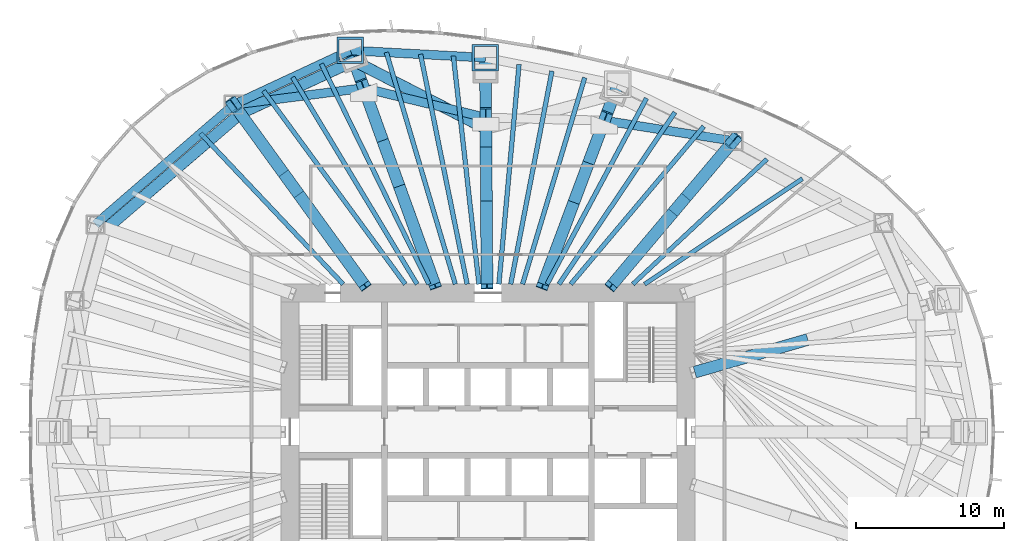
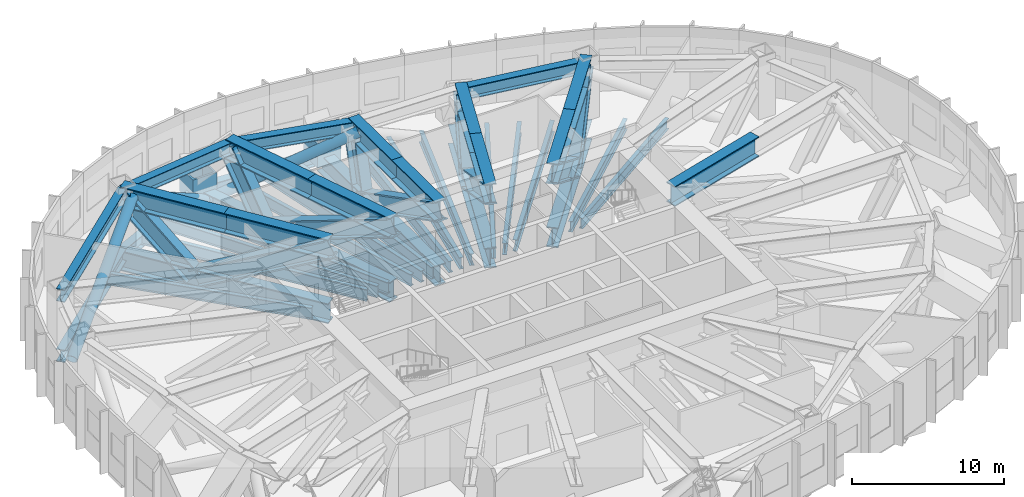
# One storey, part 4 of 12: 35 members, 18 beams.
"""IFC4 building model written with IfcOpenShell, lengths in metres."""

from ifc_helpers import new_model, si_unit, direction, frame, origin, origin_2d, place, context, subcontext, project, spatial, hollow_rectangle, hollow_circle, i_section, extrude, material, material_profile, profile_set, type_object, element, save


model = new_model("IFC4")

# Units and contexts
model_context = context("Model", 3, precision=1e-05, world=origin(), true_north=direction((0.0, 1.0)))
body_context = subcontext(model_context, "Body", "Model", "MODEL_VIEW")
ifc_project = project(units=[si_unit("LENGTHUNIT", "METRE"), si_unit("AREAUNIT", "SQUARE_METRE"), si_unit("VOLUMEUNIT", "CUBIC_METRE"), si_unit("PLANEANGLEUNIT", "RADIAN"), si_unit("MASSUNIT", "GRAM", prefix="KILO")], contexts=[model_context])

# Site, building, storey
site_placement = place(None, origin())
site = spatial("IfcSite", under=ifc_project, at=site_placement, CompositionType="ELEMENT")
building_placement = place(site_placement, origin())
building = spatial("IfcBuilding", under=site, at=building_placement, Name="Ghaith Harvest Tower", CompositionType="ELEMENT")
storey_placement = place(building_placement, frame((0.0, 0.0, 100.0)))
storey = spatial("IfcBuildingStorey", under=building, at=storey_placement, Name="L20", CompositionType="ELEMENT", Elevation=100.0)

# Members
ifc_material_1 = material(Name="Steel S460", Category="steel")
ifc_material_profile_1 = material_profile(ifc_material_1, i_section(OverallWidth=0.60009765625, OverallDepth=1.0, WebThickness=0.02490234375, FlangeThickness=0.050048828125, at=origin_2d()), Name="PG1000X600X25X50")
ifc_profile_set_1 = profile_set([ifc_material_profile_1], Name="Steel S460")
member_type_1 = type_object("IfcMemberType", Name="BCPG1000-600-25-50 PG1000X600X25X50", PredefinedType="CHORD", material=ifc_profile_set_1)
member_1_placement = place(storey_placement, frame((16.60791015625, 19.695068359375, 4.030029296875), z_axis=(-0.987788485872, 0.155800857439, 0.0), x_axis=(-0.155800857439, -0.987788485872, 0.0)))
element("IfcMember", 1, at=member_1_placement, inside=storey, type_object=member_type_1, Name="Belt truss BT04 top chord", PredefinedType="CHORD", context=body_context, shape_type="SweptSolid", body=[
    extrude(i_section(OverallWidth=0.60009765625, OverallDepth=1.0, WebThickness=0.02490234375, FlangeThickness=0.050048828125, at=origin_2d()), origin(), (0.0, 0.0, 1.0), 8.837890625),
])
member_2_placement = place(storey_placement, frame((-0.14599609375, 21.27099609375, 4.030029296875), z_axis=(-0.971790293477, 0.235846614358, 0.0), x_axis=(-0.235846614358, -0.971790293477, 0.0)))
element("IfcMember", 2, at=member_2_placement, inside=storey, type_object=member_type_1, Name="Belt truss BT06 top chord", PredefinedType="CHORD", context=body_context, shape_type="SweptSolid", body=[
    extrude(i_section(OverallWidth=0.60009765625, OverallDepth=1.0, WebThickness=0.02490234375, FlangeThickness=0.050048828125, at=origin_2d()), origin(), (0.0, 0.0, 1.0), 8.500732421875),
])
member_3_placement = place(storey_placement, frame((-8.406982421875, 23.27587890625, 4.030029296875), z_axis=(-0.991904090065, -0.126989275577, 0.0), x_axis=(0.126989275577, -0.991904090065, 0.0)))
element("IfcMember", 3, at=member_3_placement, inside=storey, type_object=member_type_1, Name="Belt truss BT07 top chord", PredefinedType="CHORD", context=body_context, shape_type="SweptSolid", body=[
    extrude(i_section(OverallWidth=0.60009765625, OverallDepth=1.0, WebThickness=0.02490234375, FlangeThickness=0.050048828125, at=origin_2d()), origin(), (0.0, 0.0, 1.0), 8.86669921875),
])
member_4_placement = place(storey_placement, frame((-17.201904296875, 22.14990234375, 4.030029296875), z_axis=(-0.756392158274, -0.654118416574, 0.0), x_axis=(0.654118416574, -0.756392158274, 0.0)))
element("IfcMember", 4, at=member_4_placement, inside=storey, type_object=member_type_1, Name="Belt truss BT08 top chord", PredefinedType="CHORD", context=body_context, shape_type="SweptSolid", body=[
    extrude(i_section(OverallWidth=0.60009765625, OverallDepth=1.0, WebThickness=0.02490234375, FlangeThickness=0.050048828125, at=origin_2d()), origin(), (0.0, 0.0, 1.0), 12.38916015625),
])
ifc_material_2 = material(Name="Steel ASTM A992 Grade 50", Category="steel")
ifc_material_profile_2 = material_profile(ifc_material_2, hollow_circle(Radius=0.381103515625, WallThickness=0.01904296875, at=origin_2d()), Name="HSS762X19.1")
ifc_profile_set_2 = profile_set([ifc_material_profile_2], Name="Steel ASTM A992 Grade 50")
member_type_2 = type_object("IfcMemberType", Name="BD762 HSS762X19.1", PredefinedType="BRACE", material=ifc_profile_set_2)
member_5_placement = place(storey_placement, frame((-0.140869140625, 20.52099609375, 4.030029296875), z_axis=(-0.791886045644, 0.407405984116, -0.454903126852), x_axis=(-0.457481482453, -0.889219148024, 0.0)))
element("IfcMember", 5, at=member_5_placement, inside=storey, type_object=member_type_2, Name="Belt truss BT06 diagonal", PredefinedType="BRACE", context=body_context, shape_type="SweptSolid", body=[
    extrude(hollow_circle(Radius=0.381103515625, WallThickness=0.01904296875, at=origin_2d()), origin(), (0.0, 0.0, 1.0), 11.27734375),
])
member_6_placement = place(storey_placement, frame((-9.0712890625, 25.115478515625, -1.10009765625), z_axis=(-0.77558344902, -0.359737025449, 0.518709539268), x_axis=(0.420769403099, -0.907167630273, 0.0)))
element("IfcMember", 6, at=member_6_placement, inside=storey, type_object=member_type_2, Name="Belt truss BT07 diagonal", PredefinedType="BRACE", context=body_context, shape_type="SweptSolid", body=[
    extrude(hollow_circle(Radius=0.381103515625, WallThickness=0.01904296875, at=origin_2d()), origin(), (0.0, 0.0, 1.0), 9.89013671875),
])
member_7_placement = place(storey_placement, frame((-16.741943359375, 21.5576171875, 4.030029296875), z_axis=(-0.698681815234, -0.599159844908, -0.390961892403), x_axis=(0.650972811203, -0.759101046682, 0.0)))
element("IfcMember", 7, at=member_7_placement, inside=storey, type_object=member_type_2, Name="Belt truss BT08 diagonal", PredefinedType="BRACE", context=body_context, shape_type="SweptSolid", body=[
    extrude(hollow_circle(Radius=0.381103515625, WallThickness=0.01904296875, at=origin_2d()), origin(), (0.0, 0.0, 1.0), 13.121826171875),
])

# Beams
ifc_material_3 = material(Name="Steel S460", Category="steel")
ifc_material_profile_3 = material_profile(ifc_material_3, i_section(OverallWidth=0.60009765625, OverallDepth=1.0, WebThickness=0.02490234375, FlangeThickness=0.050048828125, at=origin_2d()), Name="PG1000X600X25X50")
ifc_profile_set_3 = profile_set([ifc_material_profile_3], Name="Steel S460")
beam_type_1 = type_object("IfcBeamType", Name="EPG1000 PG1000X600X25X50", PredefinedType="SPANDREL", material=ifc_profile_set_3)
beam_1_placement = place(storey_placement, frame((-0.173095703125, 25.326904296875, -0.800048828125), z_axis=(-0.998545840532, 0.053909223293, 0.0), x_axis=(-0.053909223293, -0.998545840532, 0.0)))
element("IfcBeam", 8, at=beam_1_placement, inside=storey, type_object=beam_type_1, Name="Edge beam E06 L20", PredefinedType="SPANDREL", context=body_context, shape_type="SweptSolid", body=[
    extrude(i_section(OverallWidth=0.60009765625, OverallDepth=1.0, WebThickness=0.02490234375, FlangeThickness=0.050048828125, at=origin_2d()), origin(), (0.0, 0.0, 1.0), 9.166259765625),
])
beam_2_placement = place(storey_placement, frame((-9.325927734375, 25.821044921875, -0.800048828125), z_axis=(-0.906373259523, -0.422477827137, 0.0), x_axis=(0.422477827137, -0.906373259523, 0.0)))
element("IfcBeam", 9, at=beam_2_placement, inside=storey, type_object=beam_type_1, Name="Edge beam E07 L20", PredefinedType="SPANDREL", context=body_context, shape_type="SweptSolid", body=[
    extrude(i_section(OverallWidth=0.60009765625, OverallDepth=1.0, WebThickness=0.02490234375, FlangeThickness=0.050048828125, at=origin_2d()), origin(), (0.0, 0.0, 1.0), 8.689453125),
])
beam_3_placement = place(storey_placement, frame((-17.201904296875, 22.14990234375, -0.800048828125), z_axis=(-0.756392158274, -0.654118416574, 0.0), x_axis=(0.654118416574, -0.756392158274, 0.0)))
element("IfcBeam", 10, at=beam_3_placement, inside=storey, type_object=beam_type_1, Name="Edge beam E08 L20", PredefinedType="SPANDREL", context=body_context, shape_type="SweptSolid", body=[
    extrude(i_section(OverallWidth=0.60009765625, OverallDepth=1.0, WebThickness=0.02490234375, FlangeThickness=0.050048828125, at=origin_2d()), origin(), (0.0, 0.0, 1.0), 12.38916015625),
])
ifc_material_4 = material(Name="Steel ASTM A992 Grade 50", Category="steel")
ifc_material_profile_4 = material_profile(ifc_material_4, i_section(OverallWidth=0.2939453125, OverallDepth=0.85107421875, WebThickness=0.01611328125, FlangeThickness=0.02685546875, at=origin_2d()), Name="W840X226")
ifc_profile_set_4 = profile_set([ifc_material_profile_4], Name="Steel ASTM A992 Grade 50")
beam_type_2 = type_object("IfcBeamType", Name="J840-226 W840X226", PredefinedType="JOIST", material=ifc_profile_set_4)
beam_4_placement = place(storey_placement, frame((10.60009765625, 10.0, -0.7255859375), z_axis=(0.831116486766, 0.556098359489, 0.0), x_axis=(-0.556098359489, 0.831116486766, 0.0)))
element("IfcBeam", 11, at=beam_4_placement, inside=storey, type_object=beam_type_2, Name="Joist J03.2 L20", PredefinedType="JOIST", context=body_context, shape_type="SweptSolid", body=[
    extrude(i_section(OverallWidth=0.2939453125, OverallDepth=0.85107421875, WebThickness=0.01611328125, FlangeThickness=0.02685546875, at=origin_2d()), origin(), (0.0, 0.0, 1.0), 12.84716796875),
])
beam_5_placement = place(storey_placement, frame((9.800048828125, 10.0, -0.7255859375), z_axis=(0.731538123562, 0.681800538116, 0.0), x_axis=(-0.681800538116, 0.731538123562, 0.0)))
element("IfcBeam", 12, at=beam_5_placement, inside=storey, type_object=beam_type_2, Name="Joist J03.3 L20", PredefinedType="JOIST", context=body_context, shape_type="SweptSolid", body=[
    extrude(i_section(OverallWidth=0.2939453125, OverallDepth=0.85107421875, WebThickness=0.01611328125, FlangeThickness=0.02685546875, at=origin_2d()), origin(), (0.0, 0.0, 1.0), 12.404052734375),
])
ifc_material_5 = material(Name="Steel ASTM A992 Grade 50", Category="steel")
ifc_material_profile_5 = material_profile(ifc_material_5, i_section(OverallWidth=0.31005859375, OverallDepth=0.927001953125, WebThickness=0.019287109375, FlangeThickness=0.031982421875, at=origin_2d()), Name="W920X289")
ifc_profile_set_5 = profile_set([ifc_material_profile_5], Name="Steel ASTM A992 Grade 50")
beam_type_3 = type_object("IfcBeamType", Name="J920-289 W920X289", PredefinedType="JOIST", material=ifc_profile_set_5)
beam_6_placement = place(storey_placement, frame((5.60009765625, 10.0, -0.763427734375), z_axis=(0.64456680186, 0.764547995838, 0.0), x_axis=(-0.764547995838, 0.64456680186, 0.0)))
element("IfcBeam", 13, at=beam_6_placement, inside=storey, type_object=beam_type_3, Name="Joist J04.1 L20", PredefinedType="JOIST", context=body_context, shape_type="SweptSolid", body=[
    extrude(i_section(OverallWidth=0.31005859375, OverallDepth=0.927001953125, WebThickness=0.019287109375, FlangeThickness=0.031982421875, at=origin_2d()), origin(), (0.0, 0.0, 1.0), 13.967041015625),
])
beam_7_placement = place(storey_placement, frame((4.800048828125, 10.0, -0.763427734375), z_axis=(0.559387418926, 0.828906337017, 0.0), x_axis=(-0.828906337017, 0.559387418926, 0.0)))
element("IfcBeam", 14, at=beam_7_placement, inside=storey, type_object=beam_type_3, Name="Joist J04.2 L20", PredefinedType="JOIST", context=body_context, shape_type="SweptSolid", body=[
    extrude(i_section(OverallWidth=0.31005859375, OverallDepth=0.927001953125, WebThickness=0.019287109375, FlangeThickness=0.031982421875, at=origin_2d()), origin(), (0.0, 0.0, 1.0), 14.036865234375),
])
beam_8_placement = place(storey_placement, frame((4.0, 10.0, -0.763427734375), z_axis=(0.471472746077, 0.881880632346, 0.0), x_axis=(-0.881880632346, 0.471472746077, 0.0)))
element("IfcBeam", 15, at=beam_8_placement, inside=storey, type_object=beam_type_3, Name="Joist J04.3 L20", PredefinedType="JOIST", context=body_context, shape_type="SweptSolid", body=[
    extrude(i_section(OverallWidth=0.31005859375, OverallDepth=0.927001953125, WebThickness=0.019287109375, FlangeThickness=0.031982421875, at=origin_2d()), origin(), (0.0, 0.0, 1.0), 14.26513671875),
])
beam_9_placement = place(storey_placement, frame((2.33837890625, 10.0, -0.763427734375), z_axis=(0.288392595284, 0.957512251089, 0.0), x_axis=(-0.957512251089, 0.288392595284, 0.0)))
element("IfcBeam", 16, at=beam_9_placement, inside=storey, type_object=beam_type_3, Name="Joist J05.1 L20", PredefinedType="JOIST", context=body_context, shape_type="SweptSolid", body=[
    extrude(i_section(OverallWidth=0.31005859375, OverallDepth=0.927001953125, WebThickness=0.019287109375, FlangeThickness=0.031982421875, at=origin_2d()), origin(), (0.0, 0.0, 1.0), 14.597900390625),
])
beam_10_placement = place(storey_placement, frame((1.538330078125, 10.0, -0.763427734375), z_axis=(0.189998654028, 0.981784350796, 0.0), x_axis=(-0.981784350796, 0.189998654028, 0.0)))
element("IfcBeam", 17, at=beam_10_placement, inside=storey, type_object=beam_type_3, Name="Joist J05.2 L20", PredefinedType="JOIST", context=body_context, shape_type="SweptSolid", body=[
    extrude(i_section(OverallWidth=0.31005859375, OverallDepth=0.927001953125, WebThickness=0.019287109375, FlangeThickness=0.031982421875, at=origin_2d()), origin(), (0.0, 0.0, 1.0), 14.69091796875),
])
beam_11_placement = place(storey_placement, frame((0.73828125, 10.0, -0.763427734375), z_axis=(0.091311106514, 0.995822414805, 0.0), x_axis=(-0.995822414805, 0.091311106514, 0.0)))
element("IfcBeam", 18, at=beam_11_placement, inside=storey, type_object=beam_type_3, Name="Joist J05.3 L20", PredefinedType="JOIST", context=body_context, shape_type="SweptSolid", body=[
    extrude(i_section(OverallWidth=0.31005859375, OverallDepth=0.927001953125, WebThickness=0.019287109375, FlangeThickness=0.031982421875, at=origin_2d()), origin(), (0.0, 0.0, 1.0), 14.932861328125),
])
beam_12_placement = place(storey_placement, frame((-0.61181640625, 10.0, -0.763427734375), z_axis=(-0.111319467466, 0.993784672936, 0.0), x_axis=(-0.993784672936, -0.111319467466, 0.0)))
element("IfcBeam", 19, at=beam_12_placement, inside=storey, type_object=beam_type_3, Name="Joist J06.1 L20", PredefinedType="JOIST", context=body_context, shape_type="SweptSolid", body=[
    extrude(i_section(OverallWidth=0.31005859375, OverallDepth=0.927001953125, WebThickness=0.019287109375, FlangeThickness=0.031982421875, at=origin_2d()), origin(), (0.0, 0.0, 1.0), 15.540771484375),
])
beam_13_placement = place(storey_placement, frame((-1.411865234375, 10.0, -0.763427734375), z_axis=(-0.198566441798, 0.980087428851, 0.0), x_axis=(-0.980087428851, -0.198566441798, 0.0)))
element("IfcBeam", 20, at=beam_13_placement, inside=storey, type_object=beam_type_3, Name="Joist J06.2 L20", PredefinedType="JOIST", context=body_context, shape_type="SweptSolid", body=[
    extrude(i_section(OverallWidth=0.31005859375, OverallDepth=0.927001953125, WebThickness=0.019287109375, FlangeThickness=0.031982421875, at=origin_2d()), origin(), (0.0, 0.0, 1.0), 15.88037109375),
])
ifc_material_6 = material(Name="Steel ASTM A992 Grade 50", Category="steel")
ifc_material_profile_6 = material_profile(ifc_material_6, i_section(OverallWidth=0.306884765625, OverallDepth=0.94189453125, WebThickness=0.022216796875, FlangeThickness=0.039794921875, at=origin_2d()), Name="W920X345")
ifc_profile_set_6 = profile_set([ifc_material_profile_6], Name="Steel ASTM A992 Grade 50")
beam_type_4 = type_object("IfcBeamType", Name="J920-345 W920X345", PredefinedType="JOIST", material=ifc_profile_set_6)
beam_14_placement = place(storey_placement, frame((-2.2119140625, 10.0, -0.77099609375), z_axis=(-0.285149526246, 0.958483045067, 0.0), x_axis=(-0.958483045067, -0.285149526246, 0.0)))
element("IfcBeam", 21, at=beam_14_placement, inside=storey, type_object=beam_type_4, Name="Joist J06.3 L20", PredefinedType="JOIST", context=body_context, shape_type="SweptSolid", body=[
    extrude(i_section(OverallWidth=0.306884765625, OverallDepth=0.94189453125, WebThickness=0.022216796875, FlangeThickness=0.039794921875, at=origin_2d()), origin(), (0.0, 0.0, 1.0), 16.36865234375),
])
beam_15_placement = place(storey_placement, frame((-4.0, 10.0, -0.77099609375), z_axis=(-0.438505380705, 0.898728563635, 0.0), x_axis=(-0.898728563635, -0.438505380705, 0.0)))
element("IfcBeam", 22, at=beam_15_placement, inside=storey, type_object=beam_type_4, Name="Joist J07.1 L20", PredefinedType="JOIST", context=body_context, shape_type="SweptSolid", body=[
    extrude(i_section(OverallWidth=0.306884765625, OverallDepth=0.94189453125, WebThickness=0.022216796875, FlangeThickness=0.039794921875, at=origin_2d()), origin(), (0.0, 0.0, 1.0), 16.592529296875),
])
beam_16_placement = place(storey_placement, frame((-4.800048828125, 10.0, -0.77099609375), z_axis=(-0.515358894704, 0.85697445099, 0.0), x_axis=(-0.85697445099, -0.515358894704, 0.0)))
element("IfcBeam", 23, at=beam_16_placement, inside=storey, type_object=beam_type_4, Name="Joist J07.2 L20", PredefinedType="JOIST", context=body_context, shape_type="SweptSolid", body=[
    extrude(i_section(OverallWidth=0.306884765625, OverallDepth=0.94189453125, WebThickness=0.022216796875, FlangeThickness=0.039794921875, at=origin_2d()), origin(), (0.0, 0.0, 1.0), 16.34228515625),
])
beam_17_placement = place(storey_placement, frame((-5.60009765625, 10.0, -0.77099609375), z_axis=(-0.591008736068, 0.806665155992, 0.0), x_axis=(-0.806665155992, -0.591008736068, 0.0)))
element("IfcBeam", 24, at=beam_17_placement, inside=storey, type_object=beam_type_4, Name="Joist J07.3 L20", PredefinedType="JOIST", context=body_context, shape_type="SweptSolid", body=[
    extrude(i_section(OverallWidth=0.306884765625, OverallDepth=0.94189453125, WebThickness=0.022216796875, FlangeThickness=0.039794921875, at=origin_2d()), origin(), (0.0, 0.0, 1.0), 16.22509765625),
])
beam_18_placement = place(storey_placement, frame((-9.800048828125, 10.0, -0.77099609375), z_axis=(-0.687103155579, 0.726559876124, 0.0), x_axis=(-0.726559876124, -0.687103155579, 0.0)))
element("IfcBeam", 25, at=beam_18_placement, inside=storey, type_object=beam_type_4, Name="Joist J08.1 L20", PredefinedType="JOIST", context=body_context, shape_type="SweptSolid", body=[
    extrude(i_section(OverallWidth=0.306884765625, OverallDepth=0.94189453125, WebThickness=0.022216796875, FlangeThickness=0.039794921875, at=origin_2d()), origin(), (0.0, 0.0, 1.0), 14.045654296875),
])

# Members
ifc_material_7 = material(Name="Steel S690QL", Category="steel")
ifc_material_profile_7 = material_profile(ifc_material_7, hollow_rectangle(XDim=1.800048828125, YDim=1.800048828125, WallThickness=0.14990234375, at=origin_2d()), Name="BOX1800X1800X150")
ifc_profile_set_7 = profile_set([ifc_material_profile_7], Name="Steel S690QL")
member_type_3 = type_object("IfcMemberType", Name="KN3 BOX1800X1800X150", PredefinedType="USERDEFINED", material=ifc_profile_set_7)
for number, where, z_axis, x_axis, name in (
    (26, (-0.173095703125, 25.326904296875, -0.97509765625), (0.0, 0.0, 1.0), (1.0, 0.0, 0.0), "Raked column kink node C06 base L20"),
    (27, (-9.325927734375, 25.821044921875, -0.97509765625), (0.0, 0.0, 1.0), (1.0, 0.0, 0.0), "Raked column kink node C07 base L20"),
):
    element("IfcMember", number, at=place(storey_placement, frame(where, z_axis=z_axis, x_axis=x_axis)), inside=storey, type_object=member_type_3, Name=name, ObjectType="KINK NODE", PredefinedType="USERDEFINED", context=body_context, shape_type="SweptSolid", body=[
        extrude(hollow_rectangle(XDim=1.800048828125, YDim=1.800048828125, WallThickness=0.14990234375, at=origin_2d()), origin(), (0.0, 0.0, 1.0), 1.9501953125),
    ])
ifc_material_8 = material(Name="Steel S460", Category="steel")
ifc_material_profile_8 = material_profile(ifc_material_8, i_section(OverallWidth=0.800048828125, OverallDepth=1.60009765625, WebThickness=0.0400390625, FlangeThickness=0.080078125, at=origin_2d()), Name="PG1600X800X40X80")
ifc_profile_set_8 = profile_set([ifc_material_profile_8], Name="Steel S460")
member_type_4 = type_object("IfcMemberType", Name="OC1600 PG1600X800X40X80", PredefinedType="CHORD", material=ifc_profile_set_8)
member_8_placement = place(storey_placement, frame((14.0, 4.04638671875, 4.030029296875), z_axis=(0.960689268459, 0.277625880398, 0.0), x_axis=(-0.277625880398, 0.960689268459, 0.0)))
element("IfcMember", 28, at=member_8_placement, inside=storey, type_object=member_type_4, Name="Outrigger truss OT02 top chord 1", PredefinedType="CHORD", context=body_context, shape_type="SweptSolid", body=[
    extrude(i_section(OverallWidth=0.800048828125, OverallDepth=1.60009765625, WebThickness=0.0400390625, FlangeThickness=0.080078125, at=origin_2d()), origin(), (0.0, 0.0, 1.0), 7.955810546875),
])
member_9_placement = place(storey_placement, frame((8.4326171875, 10.0, -1.10009765625), z_axis=(0.644644245772, 0.764482698557, 0.0), x_axis=(-0.764482698557, 0.644644245772, 0.0)))
element("IfcMember", 29, at=member_9_placement, inside=storey, type_object=member_type_4, Name="Outrigger truss OT04 bottom chord", PredefinedType="CHORD", context=body_context, shape_type="SweptSolid", body=[
    extrude(i_section(OverallWidth=0.800048828125, OverallDepth=1.60009765625, WebThickness=0.0400390625, FlangeThickness=0.080078125, at=origin_2d()), origin(), (0.0, 0.0, 1.0), 12.681884765625),
])
member_10_placement = place(storey_placement, frame((8.4326171875, 10.0, 4.030029296875), z_axis=(0.644676234282, 0.764455723343, 0.0), x_axis=(-0.764455723343, 0.644676234282, 0.0)))
element("IfcMember", 30, at=member_10_placement, inside=storey, type_object=member_type_4, Name="Outrigger truss OT04 top chord 1", PredefinedType="CHORD", context=body_context, shape_type="SweptSolid", body=[
    extrude(i_section(OverallWidth=0.800048828125, OverallDepth=1.60009765625, WebThickness=0.0400390625, FlangeThickness=0.080078125, at=origin_2d()), origin(), (0.0, 0.0, 1.0), 6.341064453125),
])
member_11_placement = place(storey_placement, frame((12.5205078125, 14.847412109375, 4.030029296875), z_axis=(0.644612255488, 0.764509672976, 0.0), x_axis=(-0.764509672976, 0.644612255488, 0.0)))
element("IfcMember", 31, at=member_11_placement, inside=storey, type_object=member_type_4, Name="Outrigger truss OT04 top chord 2", PredefinedType="CHORD", context=body_context, shape_type="SweptSolid", body=[
    extrude(i_section(OverallWidth=0.800048828125, OverallDepth=1.60009765625, WebThickness=0.0400390625, FlangeThickness=0.080078125, at=origin_2d()), origin(), (0.0, 0.0, 1.0), 6.3408203125),
])
member_12_placement = place(storey_placement, frame((3.73828125, 10.0, -1.10009765625), z_axis=(0.350150596156, 0.936693418367, 0.0), x_axis=(-0.936693418367, 0.350150596156, 0.0)))
element("IfcMember", 32, at=member_12_placement, inside=storey, type_object=member_type_4, Name="Outrigger truss OT05 bottom chord", PredefinedType="CHORD", context=body_context, shape_type="SweptSolid", body=[
    extrude(i_section(OverallWidth=0.800048828125, OverallDepth=1.60009765625, WebThickness=0.0400390625, FlangeThickness=0.080078125, at=origin_2d()), origin(), (0.0, 0.0, 1.0), 14.44140625),
])
member_13_placement = place(storey_placement, frame((3.73828125, 10.0, 4.030029296875), z_axis=(0.350213357326, 0.936669954867, 0.0), x_axis=(-0.936669954867, 0.350213357326, 0.0)))
element("IfcMember", 33, at=member_13_placement, inside=storey, type_object=member_type_4, Name="Outrigger truss OT05 top chord 1", PredefinedType="CHORD", context=body_context, shape_type="SweptSolid", body=[
    extrude(i_section(OverallWidth=0.800048828125, OverallDepth=1.60009765625, WebThickness=0.0400390625, FlangeThickness=0.080078125, at=origin_2d()), origin(), (0.0, 0.0, 1.0), 5.91015625),
])
member_14_placement = place(storey_placement, frame((5.80810546875, 15.535888671875, 4.030029296875), z_axis=(0.350199807211, 0.936675021034, 0.0), x_axis=(-0.936675021034, 0.350199807211, 0.0)))
element("IfcMember", 34, at=member_14_placement, inside=storey, type_object=member_type_4, Name="Outrigger truss OT05 top chord 2", PredefinedType="CHORD", context=body_context, shape_type="SweptSolid", body=[
    extrude(i_section(OverallWidth=0.800048828125, OverallDepth=1.60009765625, WebThickness=0.0400390625, FlangeThickness=0.080078125, at=origin_2d()), origin(), (0.0, 0.0, 1.0), 5.910400390625),
])
member_15_placement = place(storey_placement, frame((-0.068359375, 10.0, -1.10009765625), z_axis=(-0.006833335732, 0.999976652489, 0.0), x_axis=(-0.999976652489, -0.006833335732, 0.0)))
element("IfcMember", 35, at=member_15_placement, inside=storey, type_object=member_type_4, Name="Outrigger truss OT06 bottom chord", PredefinedType="CHORD", context=body_context, shape_type="SweptSolid", body=[
    extrude(i_section(OverallWidth=0.800048828125, OverallDepth=1.60009765625, WebThickness=0.0400390625, FlangeThickness=0.080078125, at=origin_2d()), origin(), (0.0, 0.0, 1.0), 15.3271484375),
])
for number, where, z_axis, x_axis, name in (
    (36, (-0.068359375, 10.0, 4.030029296875), (-0.006888022705, 0.99997627729, 0.0), (-0.99997627729, -0.006888022705, 0.0), "Outrigger truss OT06 top chord 1"),
    (37, (-0.107177734375, 15.635498046875, 4.030029296875), (-0.006888022705, 0.99997627729, 0.0), (-0.99997627729, -0.006888022705, 0.0), "Outrigger truss OT06 top chord 2"),
):
    element("IfcMember", number, at=place(storey_placement, frame(where, z_axis=z_axis, x_axis=x_axis)), inside=storey, type_object=member_type_4, Name=name, PredefinedType="CHORD", context=body_context, shape_type="SweptSolid", body=[
        extrude(i_section(OverallWidth=0.800048828125, OverallDepth=1.60009765625, WebThickness=0.0400390625, FlangeThickness=0.080078125, at=origin_2d()), origin(), (0.0, 0.0, 1.0), 5.6357421875),
    ])
member_16_placement = place(storey_placement, frame((-3.61181640625, 10.0, -1.10009765625), z_axis=(-0.339694751271, 0.940535738799, 0.0), x_axis=(-0.940535738799, -0.339694751271, 0.0)))
element("IfcMember", 38, at=member_16_placement, inside=storey, type_object=member_type_4, Name="Outrigger truss OT07 bottom chord", PredefinedType="CHORD", context=body_context, shape_type="SweptSolid", body=[
    extrude(i_section(OverallWidth=0.800048828125, OverallDepth=1.60009765625, WebThickness=0.0400390625, FlangeThickness=0.080078125, at=origin_2d()), origin(), (0.0, 0.0, 1.0), 16.8212890625),
])
for number, where, z_axis, x_axis, name in (
    (39, (-3.61181640625, 10.0, 4.030029296875), (-0.339728616753, 0.940523506862, 0.0), (-0.940523506862, -0.339728616753, 0.0), "Outrigger truss OT07 top chord 1"),
    (40, (-6.009521484375, 16.637939453125, 4.030029296875), (-0.339698016615, 0.940534559444, 0.0), (-0.940534559444, -0.339698016615, 0.0), "Outrigger truss OT07 top chord 2"),
):
    element("IfcMember", number, at=place(storey_placement, frame(where, z_axis=z_axis, x_axis=x_axis)), inside=storey, type_object=member_type_4, Name=name, PredefinedType="CHORD", context=body_context, shape_type="SweptSolid", body=[
        extrude(i_section(OverallWidth=0.800048828125, OverallDepth=1.60009765625, WebThickness=0.0400390625, FlangeThickness=0.080078125, at=origin_2d()), origin(), (0.0, 0.0, 1.0), 7.0576171875),
    ])
member_17_placement = place(storey_placement, frame((-8.39990234375, 10.0, -1.10009765625), z_axis=(-0.586675813287, 0.809821887889, 0.0), x_axis=(-0.809821887889, -0.586675813287, 0.0)))
element("IfcMember", 41, at=member_17_placement, inside=storey, type_object=member_type_4, Name="Outrigger truss OT08 bottom chord", PredefinedType="CHORD", context=body_context, shape_type="SweptSolid", body=[
    extrude(i_section(OverallWidth=0.800048828125, OverallDepth=1.60009765625, WebThickness=0.0400390625, FlangeThickness=0.080078125, at=origin_2d()), origin(), (0.0, 0.0, 1.0), 15.003173828125),
])
member_18_placement = place(storey_placement, frame((-8.39990234375, 10.0, 4.030029296875), z_axis=(-0.586686484888, 0.809814156736, 0.0), x_axis=(-0.809814156736, -0.586686484888, 0.0)))
element("IfcMember", 42, at=member_18_placement, inside=storey, type_object=member_type_4, Name="Outrigger truss OT08 top chord 1", PredefinedType="CHORD", context=body_context, shape_type="SweptSolid", body=[
    extrude(i_section(OverallWidth=0.800048828125, OverallDepth=1.60009765625, WebThickness=0.0400390625, FlangeThickness=0.080078125, at=origin_2d()), origin(), (0.0, 0.0, 1.0), 7.501708984375),
])
member_19_placement = place(storey_placement, frame((-12.801025390625, 16.074951171875, 4.030029296875), z_axis=(-0.586665141381, 0.809829619049, 0.0), x_axis=(-0.809829619049, -0.586665141381, 0.0)))
element("IfcMember", 43, at=member_19_placement, inside=storey, type_object=member_type_4, Name="Outrigger truss OT08 top chord 2", PredefinedType="CHORD", context=body_context, shape_type="SweptSolid", body=[
    extrude(i_section(OverallWidth=0.800048828125, OverallDepth=1.60009765625, WebThickness=0.0400390625, FlangeThickness=0.080078125, at=origin_2d()), origin(), (0.0, 0.0, 1.0), 7.50146484375),
])
ifc_material_9 = material(Name="Steel S460", Category="steel")
ifc_material_profile_9 = material_profile(ifc_material_9, i_section(OverallWidth=0.800048828125, OverallDepth=1.39990234375, WebThickness=0.050048828125, FlangeThickness=0.10009765625, at=origin_2d()), Name="PG1400X800X50X100")
ifc_profile_set_9 = profile_set([ifc_material_profile_9], Name="Steel S460")
member_type_5 = type_object("IfcMemberType", Name="OD1400 PG1400X800X50X100", PredefinedType="BRACE", material=ifc_profile_set_9)
member_20_placement = place(storey_placement, frame((8.4326171875, 10.0, 4.030029296875), z_axis=(0.547312292576, 0.649050119267, -0.528377892304), x_axis=(-0.764479392767, 0.644648166084, 0.0)))
element("IfcMember", 44, at=member_20_placement, inside=storey, type_object=member_type_5, Name="Outrigger truss OT04 diagonal 1", PredefinedType="BRACE", context=body_context, shape_type="SweptSolid", body=[
    extrude(i_section(OverallWidth=0.800048828125, OverallDepth=1.39990234375, WebThickness=0.050048828125, FlangeThickness=0.10009765625, at=origin_2d()), origin(), (0.0, 0.0, 1.0), 9.709228515625),
])
member_21_placement = place(storey_placement, frame((13.74658203125, 16.3017578125, -1.10009765625), z_axis=(0.421788326866, 0.500207845999, 0.756231920856), x_axis=(-0.764488837802, 0.64463696518, 0.0)))
element("IfcMember", 45, at=member_21_placement, inside=storey, type_object=member_type_5, Name="Outrigger truss OT04 diagonal 2", PredefinedType="BRACE", context=body_context, shape_type="SweptSolid", body=[
    extrude(i_section(OverallWidth=0.800048828125, OverallDepth=1.39990234375, WebThickness=0.050048828125, FlangeThickness=0.10009765625, at=origin_2d()), origin(), (0.0, 0.0, 1.0), 6.78369140625),
])
member_22_placement = place(storey_placement, frame((3.73828125, 10.0, 4.030029296875), z_axis=(0.307264997928, 0.821944710344, -0.47957805849), x_axis=(-0.936689958344, 0.350159851979, 0.0)))
element("IfcMember", 46, at=member_22_placement, inside=storey, type_object=member_type_5, Name="Outrigger truss OT05 diagonal 1", PredefinedType="BRACE", context=body_context, shape_type="SweptSolid", body=[
    extrude(i_section(OverallWidth=0.800048828125, OverallDepth=1.39990234375, WebThickness=0.050048828125, FlangeThickness=0.10009765625, at=origin_2d()), origin(), (0.0, 0.0, 1.0), 10.697265625),
])
member_23_placement = place(storey_placement, frame((7.025146484375, 18.79248046875, -1.10009765625), z_axis=(0.150185962234, 0.401456149265, 0.903480568117), x_axis=(-0.936605087044, 0.350386801868, 0.0)))
element("IfcMember", 47, at=member_23_placement, inside=storey, type_object=member_type_5, Name="Outrigger truss OT05 diagonal 2", PredefinedType="BRACE", context=body_context, shape_type="SweptSolid", body=[
    extrude(i_section(OverallWidth=0.800048828125, OverallDepth=1.39990234375, WebThickness=0.050048828125, FlangeThickness=0.10009765625, at=origin_2d()), origin(), (0.0, 0.0, 1.0), 5.67822265625),
])
member_24_placement = place(storey_placement, frame((-0.068359375, 10.0, 4.030029296875), z_axis=(-0.006078394935, 0.889036064929, -0.457796819966), x_axis=(-0.999976628109, -0.006836902474, 0.0)))
element("IfcMember", 48, at=member_24_placement, inside=storey, type_object=member_type_5, Name="Outrigger truss OT06 diagonal 1", PredefinedType="BRACE", context=body_context, shape_type="SweptSolid", body=[
    extrude(i_section(OverallWidth=0.800048828125, OverallDepth=1.39990234375, WebThickness=0.050048828125, FlangeThickness=0.10009765625, at=origin_2d()), origin(), (0.0, 0.0, 1.0), 11.2060546875),
])
member_25_placement = place(storey_placement, frame((-0.136474609375, 19.962646484375, -1.10009765625), z_axis=(-0.001798425919, 0.247122166697, 0.968982662586), x_axis=(-0.999973520215, -0.007277284435, 0.0)))
element("IfcMember", 49, at=member_25_placement, inside=storey, type_object=member_type_5, Name="Outrigger truss OT06 diagonal 2", PredefinedType="BRACE", context=body_context, shape_type="SweptSolid", body=[
    extrude(i_section(OverallWidth=0.800048828125, OverallDepth=1.39990234375, WebThickness=0.050048828125, FlangeThickness=0.10009765625, at=origin_2d()), origin(), (0.0, 0.0, 1.0), 5.29443359375),
])
member_26_placement = place(storey_placement, frame((-3.61181640625, 10.0, 4.030029296875), z_axis=(-0.307522000811, 0.851471880508, -0.424765648001), x_axis=(-0.940537651107, -0.33968945649, 0.0)))
element("IfcMember", 50, at=member_26_placement, inside=storey, type_object=member_type_5, Name="Outrigger truss OT07 diagonal 1", PredefinedType="BRACE", context=body_context, shape_type="SweptSolid", body=[
    extrude(i_section(OverallWidth=0.800048828125, OverallDepth=1.39990234375, WebThickness=0.050048828125, FlangeThickness=0.10009765625, at=origin_2d()), origin(), (0.0, 0.0, 1.0), 12.07763671875),
])
member_27_placement = place(storey_placement, frame((-7.325927734375, 20.28369140625, -1.10009765625), z_axis=(-0.179084531828, 0.495677511764, 0.849842652961), x_axis=(-0.940499411559, -0.339795316121, 0.0)))
element("IfcMember", 51, at=member_27_placement, inside=storey, type_object=member_type_5, Name="Outrigger truss OT07 diagonal 2", PredefinedType="BRACE", context=body_context, shape_type="SweptSolid", body=[
    extrude(i_section(OverallWidth=0.800048828125, OverallDepth=1.39990234375, WebThickness=0.050048828125, FlangeThickness=0.10009765625, at=origin_2d()), origin(), (0.0, 0.0, 1.0), 6.03662109375),
])
member_28_placement = place(storey_placement, frame((-8.39990234375, 10.0, 4.030029296875), z_axis=(-0.519223905779, 0.716699590532, -0.465562275747), x_axis=(-0.809816207828, -0.586683653717, 0.0)))
element("IfcMember", 52, at=member_28_placement, inside=storey, type_object=member_type_5, Name="Outrigger truss OT08 diagonal 1", PredefinedType="BRACE", context=body_context, shape_type="SweptSolid", body=[
    extrude(i_section(OverallWidth=0.800048828125, OverallDepth=1.39990234375, WebThickness=0.050048828125, FlangeThickness=0.10009765625, at=origin_2d()), origin(), (0.0, 0.0, 1.0), 11.019287109375),
])
member_29_placement = place(storey_placement, frame((-14.121337890625, 17.8974609375, -1.10009765625), z_axis=(-0.41963436275, 0.579267025708, 0.698825238902), x_axis=(-0.809832436676, -0.586661251922, 0.0)))
element("IfcMember", 53, at=member_29_placement, inside=storey, type_object=member_type_5, Name="Outrigger truss OT08 diagonal 2", PredefinedType="BRACE", context=body_context, shape_type="SweptSolid", body=[
    extrude(i_section(OverallWidth=0.800048828125, OverallDepth=1.39990234375, WebThickness=0.050048828125, FlangeThickness=0.10009765625, at=origin_2d()), origin(), (0.0, 0.0, 1.0), 7.341064453125),
])

save(model, "model.ifc")
